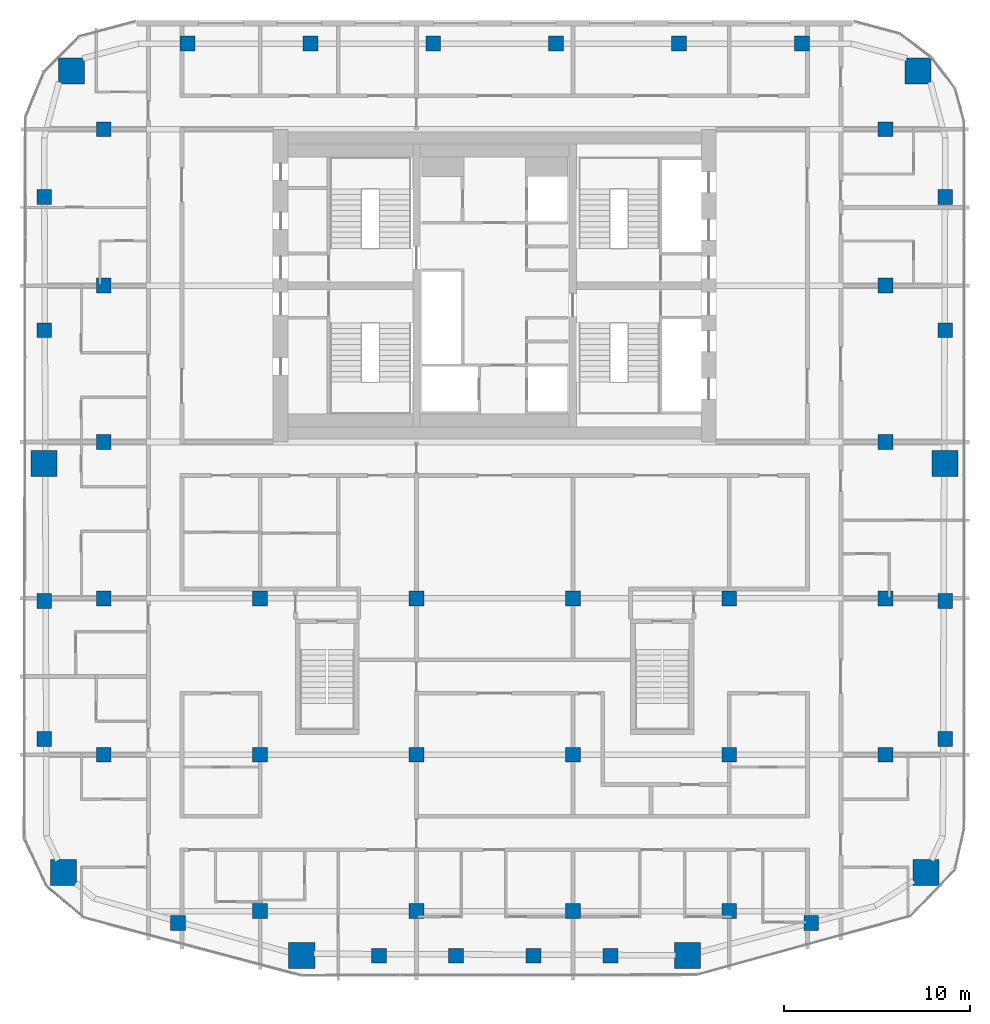
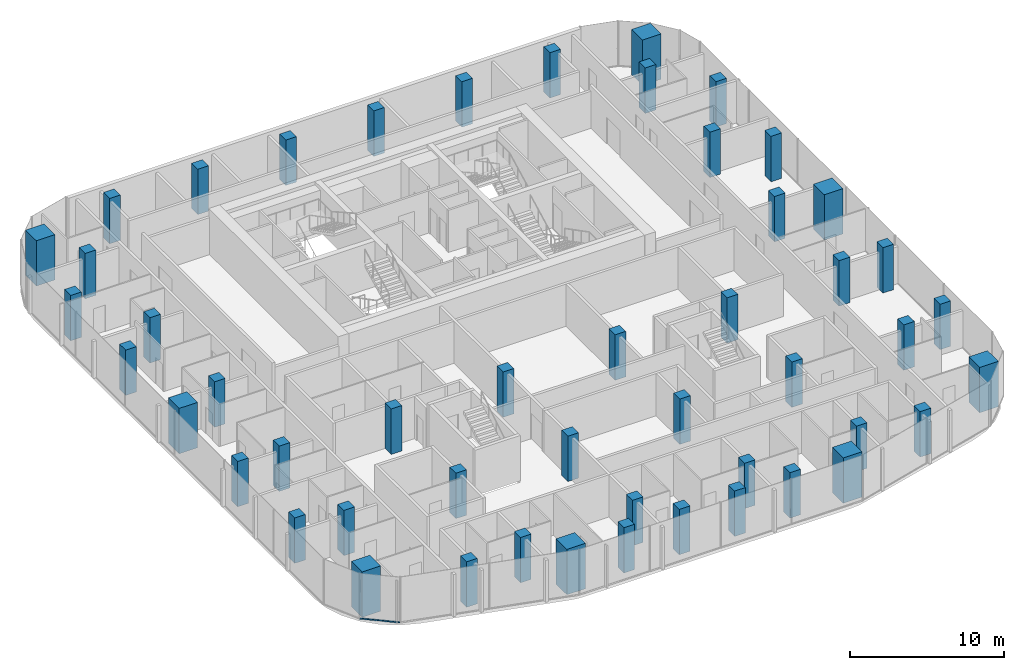
# One storey, part 1 of 21: 50 columns, 1 member, 1 element without a shape of its own.
"""IFC4 building model written with IfcOpenShell, lengths in metres."""

from ifc_helpers import new_model, si_unit, direction, frame, origin, origin_2d, place, context, subcontext, project, spatial, rectangle, extrude, material, layer, layer_set, material_profile, profile_set, type_object, element, aggregate, save


model = new_model("IFC4")

# Units and contexts
model_context = context("Model", 3, precision=1e-05, world=origin(), true_north=direction((0.0, 1.0)))
body_context = subcontext(model_context, "Body", "Model", "MODEL_VIEW")
ifc_project = project(units=[si_unit("LENGTHUNIT", "METRE"), si_unit("AREAUNIT", "SQUARE_METRE"), si_unit("VOLUMEUNIT", "CUBIC_METRE"), si_unit("PLANEANGLEUNIT", "RADIAN"), si_unit("MASSUNIT", "GRAM", prefix="KILO")], contexts=[model_context])

# Site, building, storey
site_placement = place(None, origin())
site = spatial("IfcSite", under=ifc_project, at=site_placement, CompositionType="ELEMENT")
building_placement = place(site_placement, origin())
building = spatial("IfcBuilding", under=site, at=building_placement, Name="Marenta Gate Hotel Tower", CompositionType="ELEMENT")
storey_placement = place(building_placement, frame((0.0, 0.0, 202.10009765625)))
storey = spatial("IfcBuildingStorey", under=building, at=storey_placement, Name="L46", CompositionType="ELEMENT", Elevation=202.10009765625)

# Columns
ifc_material_1 = material(Name="Concrete C60", Category="concrete")
ifc_material_profile_1 = material_profile(ifc_material_1, rectangle(XDim=0.800048828125, YDim=0.800048828125, at=origin_2d()), Name="800 x 800")
ifc_profile_set_1 = profile_set([ifc_material_profile_1], Name="Concrete C60")
column_type_1 = type_object("IfcColumnType", Name="Edge column 800 x 800 C60", PredefinedType="COLUMN", material=ifc_profile_set_1)
for number, where, z_axis, x_axis, name in (
    (1, (-24.199951171875, -15.951904296875, 0.0), (0.0, 0.0, 1.0), (1.0, 0.0, 0.0), "L46-EC-SW-W-1"),
    (2, (-24.199951171875, -8.55078125, 0.0), (0.0, 0.0, 1.0), (1.0, 0.0, 0.0), "L46-EC-SW-W-2"),
    (3, (-24.199951171875, 6.003173828125, 0.0), (0.0, 0.0, 1.0), (1.0, 0.0, 0.0), "L46-EC-W-NW-1"),
    (4, (-24.199951171875, 13.156494140625, 0.0), (0.0, 0.0, 1.0), (1.0, 0.0, 0.0), "L46-EC-W-NW-2"),
    (5, (-16.5068359375, 21.39990234375, 0.0), (0.0, 0.0, 1.0), (1.0, 0.0, 0.0), "L46-EC-NW-NE-1"),
    (6, (-9.904052734375, 21.39990234375, 0.0), (0.0, 0.0, 1.0), (1.0, 0.0, 0.0), "L46-EC-NW-NE-2"),
    (7, (-3.301513671875, 21.39990234375, 0.0), (0.0, 0.0, 1.0), (1.0, 0.0, 0.0), "L46-EC-NW-NE-3"),
    (8, (3.301513671875, 21.39990234375, 0.0), (0.0, 0.0, 1.0), (1.0, 0.0, 0.0), "L46-EC-NW-NE-4"),
    (9, (9.904052734375, 21.39990234375, 0.0), (0.0, 0.0, 1.0), (1.0, 0.0, 0.0), "L46-EC-NW-NE-5"),
    (10, (16.5068359375, 21.39990234375, 0.0), (0.0, 0.0, 1.0), (1.0, 0.0, 0.0), "L46-EC-NW-NE-6"),
    (11, (24.199951171875, 13.156494140625, 0.0), (0.0, 0.0, 1.0), (1.0, 0.0, 0.0), "L46-EC-NE-E-1"),
    (12, (24.199951171875, 6.003173828125, 0.0), (0.0, 0.0, 1.0), (1.0, 0.0, 0.0), "L46-EC-NE-E-2"),
    (13, (24.199951171875, -8.55078125, 0.0), (0.0, 0.0, 1.0), (1.0, 0.0, 0.0), "L46-EC-E-SE-1"),
    (14, (24.199951171875, -15.951904296875, 0.0), (0.0, 0.0, 1.0), (1.0, 0.0, 0.0), "L46-EC-E-SE-2"),
    (15, (17.0068359375, -25.839111328125, 0.0), (0.0, 0.0, 1.0), (1.0, 0.0, 0.0), "L46-EC-SE-SKE-1"),
    (16, (6.22021484375, -27.60009765625, 0.0), (0.0, 0.0, 1.0), (1.0, 0.0, 0.0), "L46-EC-SKE-SKW-1"),
    (17, (2.073486328125, -27.60009765625, 0.0), (0.0, 0.0, 1.0), (1.0, 0.0, 0.0), "L46-EC-SKE-SKW-2"),
    (18, (-2.073486328125, -27.60009765625, 0.0), (0.0, 0.0, 1.0), (1.0, 0.0, 0.0), "L46-EC-SKE-SKW-3"),
    (19, (-6.22021484375, -27.60009765625, 0.0), (0.0, 0.0, 1.0), (1.0, 0.0, 0.0), "L46-EC-SKE-SKW-4"),
    (20, (-17.0068359375, -25.839111328125, 0.0), (0.0, 0.0, 1.0), (1.0, 0.0, 0.0), "L46-EC-SKW-SW-1"),
):
    element("IfcColumn", number, at=place(storey_placement, frame(where, z_axis=z_axis, x_axis=x_axis)), inside=storey, type_object=column_type_1, Name=name, PredefinedType="COLUMN", context=body_context, shape_type="SweptSolid", body=[
        extrude(rectangle(XDim=0.800048828125, YDim=0.800048828125, at=origin_2d()), origin(), (0.0, 0.0, 1.0), 3.599853515625),
    ])
ifc_material_2 = material(Name="Concrete C60", Category="concrete")
ifc_material_profile_2 = material_profile(ifc_material_2, rectangle(XDim=0.800048828125, YDim=0.800048828125, at=origin_2d()), Name="800 x 800")
ifc_profile_set_2 = profile_set([ifc_material_profile_2], Name="Concrete C60")
column_type_2 = type_object("IfcColumnType", Name="Interior column 800 x 800 C60", PredefinedType="COLUMN", material=ifc_profile_set_2)
for number, where, z_axis, x_axis, name in (
    (21, (-21.0, -16.800048828125, 0.0), (0.0, 0.0, 1.0), (1.0, 0.0, 0.0), "L46-IC-4D"),
    (22, (-21.0, -8.39990234375, 0.0), (0.0, 0.0, 1.0), (1.0, 0.0, 0.0), "L46-IC-4E"),
    (23, (-21.0, 0.0, 0.0), (0.0, 0.0, 1.0), (1.0, 0.0, 0.0), "L46-IC-4F"),
    (24, (-21.0, 8.39990234375, 0.0), (0.0, 0.0, 1.0), (1.0, 0.0, 0.0), "L46-IC-4G"),
    (25, (-21.0, 16.800048828125, 0.0), (0.0, 0.0, 1.0), (1.0, 0.0, 0.0), "L46-IC-4H"),
    (26, (-12.60009765625, -25.199951171875, 0.0), (0.0, 0.0, 1.0), (1.0, 0.0, 0.0), "L46-IC-5C"),
    (27, (-12.60009765625, -16.800048828125, 0.0), (0.0, 0.0, 1.0), (1.0, 0.0, 0.0), "L46-IC-5D"),
    (28, (-12.60009765625, -8.39990234375, 0.0), (0.0, 0.0, 1.0), (1.0, 0.0, 0.0), "L46-IC-5E"),
    (29, (-4.199951171875, -25.199951171875, 0.0), (0.0, 0.0, 1.0), (1.0, 0.0, 0.0), "L46-IC-6C"),
    (30, (-4.199951171875, -16.800048828125, 0.0), (0.0, 0.0, 1.0), (1.0, 0.0, 0.0), "L46-IC-6D"),
    (31, (-4.199951171875, -8.39990234375, 0.0), (0.0, 0.0, 1.0), (1.0, 0.0, 0.0), "L46-IC-6E"),
    (32, (4.199951171875, -25.199951171875, 0.0), (0.0, 0.0, 1.0), (1.0, 0.0, 0.0), "L46-IC-7C"),
    (33, (4.199951171875, -16.800048828125, 0.0), (0.0, 0.0, 1.0), (1.0, 0.0, 0.0), "L46-IC-7D"),
    (34, (4.199951171875, -8.39990234375, 0.0), (0.0, 0.0, 1.0), (1.0, 0.0, 0.0), "L46-IC-7E"),
    (35, (12.60009765625, -25.199951171875, 0.0), (0.0, 0.0, 1.0), (1.0, 0.0, 0.0), "L46-IC-8C"),
    (36, (12.60009765625, -16.800048828125, 0.0), (0.0, 0.0, 1.0), (1.0, 0.0, 0.0), "L46-IC-8D"),
    (37, (12.60009765625, -8.39990234375, 0.0), (0.0, 0.0, 1.0), (1.0, 0.0, 0.0), "L46-IC-8E"),
    (38, (21.0, -16.800048828125, 0.0), (0.0, 0.0, 1.0), (1.0, 0.0, 0.0), "L46-IC-9D"),
    (39, (21.0, -8.39990234375, 0.0), (0.0, 0.0, 1.0), (1.0, 0.0, 0.0), "L46-IC-9E"),
    (40, (21.0, 0.0, 0.0), (0.0, 0.0, 1.0), (1.0, 0.0, 0.0), "L46-IC-9F"),
    (41, (21.0, 8.39990234375, 0.0), (0.0, 0.0, 1.0), (1.0, 0.0, 0.0), "L46-IC-9G"),
    (42, (21.0, 16.800048828125, 0.0), (0.0, 0.0, 1.0), (1.0, 0.0, 0.0), "L46-IC-9H"),
):
    element("IfcColumn", number, at=place(storey_placement, frame(where, z_axis=z_axis, x_axis=x_axis)), inside=storey, type_object=column_type_2, Name=name, PredefinedType="COLUMN", context=body_context, shape_type="SweptSolid", body=[
        extrude(rectangle(XDim=0.800048828125, YDim=0.800048828125, at=origin_2d()), origin(), (0.0, 0.0, 1.0), 3.599853515625),
    ])
ifc_material_3 = material(Name="Concrete C60", Category="concrete")
ifc_material_profile_3 = material_profile(ifc_material_3, rectangle(XDim=1.39990234375, YDim=1.39990234375, at=origin_2d()), Name="1400 x 1400")
ifc_profile_set_3 = profile_set([ifc_material_profile_3], Name="Concrete C60")
column_type_3 = type_object("IfcColumnType", Name="Mega column 1400 x 1400 C60", PredefinedType="COLUMN", material=ifc_profile_set_3)
for number, where, z_axis, x_axis, name in (
    (43, (-23.1630859375, -23.133056640625, 0.0), (0.0, 0.0, 1.0), (1.0, 0.0, 0.0), "L46-MC-SW"),
    (44, (-10.3662109375, -27.57470703125, 0.0), (0.0, 0.0, 1.0), (1.0, 0.0, 0.0), "L46-MC-SKW"),
    (45, (10.3662109375, -27.57470703125, 0.0), (0.0, 0.0, 1.0), (1.0, 0.0, 0.0), "L46-MC-SKE"),
    (46, (23.1630859375, -23.133056640625, 0.0), (0.0, 0.0, 1.0), (1.0, 0.0, 0.0), "L46-MC-SE"),
    (47, (24.199951171875, -1.14990234375, 0.0), (0.0, 0.0, 1.0), (1.0, 0.0, 0.0), "L46-MC-E"),
    (48, (22.735595703125, 19.935546875, 0.0), (0.0, 0.0, 1.0), (1.0, 0.0, 0.0), "L46-MC-NE"),
    (49, (-22.735595703125, 19.935546875, 0.0), (0.0, 0.0, 1.0), (1.0, 0.0, 0.0), "L46-MC-NW"),
    (50, (-24.199951171875, -1.14990234375, 0.0), (0.0, 0.0, 1.0), (1.0, 0.0, 0.0), "L46-MC-W"),
):
    element("IfcColumn", number, at=place(storey_placement, frame(where, z_axis=z_axis, x_axis=x_axis)), inside=storey, type_object=column_type_3, Name=name, PredefinedType="COLUMN", context=body_context, shape_type="SweptSolid", body=[
        extrude(rectangle(XDim=1.39990234375, YDim=1.39990234375, at=origin_2d()), origin(), (0.0, 0.0, 1.0), 3.599853515625),
    ])

# Curtain wall, member
ifc_material_4 = material(Name="Tinted insulated glass in bronze anodised frame", Category="glass")
ifc_layer = layer(ifc_material_4, 0.1201171875)
ifc_layer_set = layer_set([ifc_layer], Name="Tinted insulated glass in bronze anodised frame")
curtain_wall_type = type_object("IfcCurtainWallType", Name="Tower unitised curtain wall CW1", PredefinedType="NOTDEFINED", material=ifc_layer_set)
curtain_wall_placement = place(storey_placement, origin())
curtain_wall = element("IfcCurtainWall", 51, at=curtain_wall_placement, inside=storey, type_object=curtain_wall_type, Name="CW1 run G05", PredefinedType="NOTDEFINED")
ifc_material_5 = material(Name="Bronze anodised aluminium", Category="aluminium")
ifc_material_profile_4 = material_profile(ifc_material_5, rectangle(XDim=0.1201171875, YDim=0.06005859375, at=origin_2d()), Name="Transom CW1 60x120 bronze anodised aluminium")
ifc_profile_set_4 = profile_set([ifc_material_profile_4], Name="Bronze anodised aluminium")
member_type = type_object("IfcMemberType", Name="Transom CW1 60x120 bronze anodised aluminium", PredefinedType="USERDEFINED", material=ifc_profile_set_4)
member_placement = place(storey_placement, frame((-24.036865234375, -23.879150390625, 0.02978515625), z_axis=(0.767100312603, -0.641527170433, 0.0), x_axis=(0.641527170433, 0.767100312603, 0.0)))
member = element("IfcMember", 52, at=member_placement, type_object=member_type, Name="CW1 transom 1.1", ObjectType="TRANSOM", PredefinedType="USERDEFINED", context=body_context, shape_type="SweptSolid", body=[
    extrude(rectangle(XDim=0.1201171875, YDim=0.06005859375, at=origin_2d()), origin(), (0.0, 0.0, 1.0), 2.609130859375),
])
aggregate(curtain_wall, [member])

save(model, "model.ifc")
